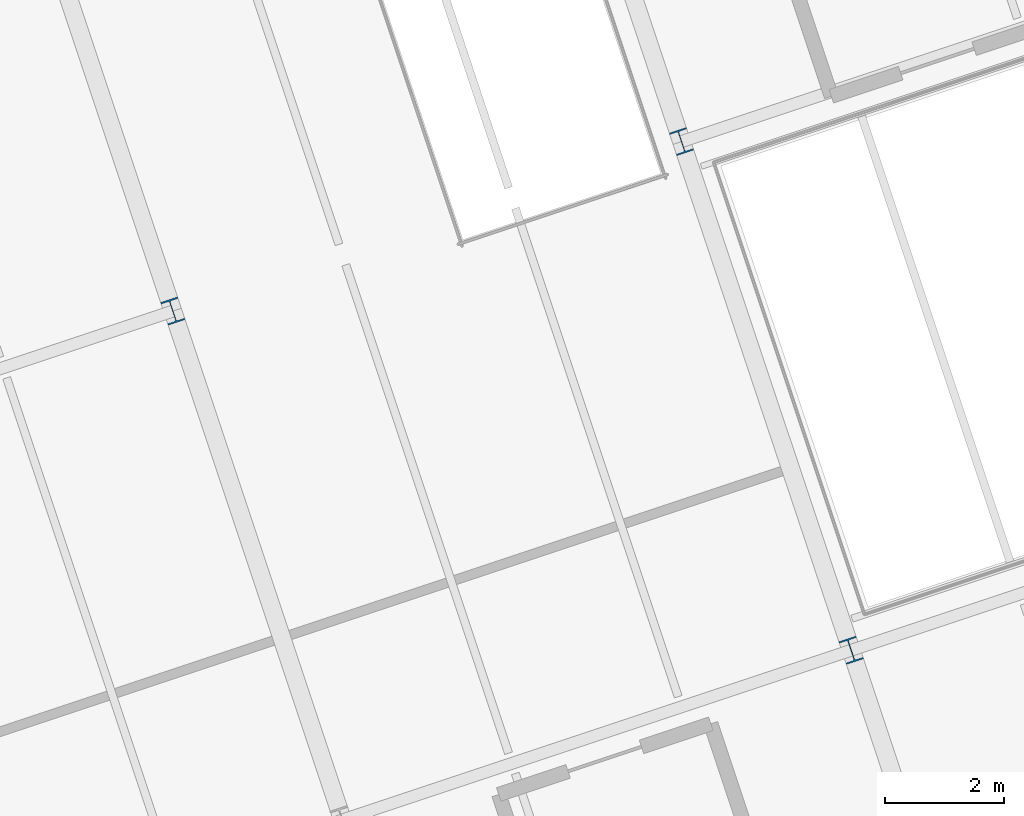
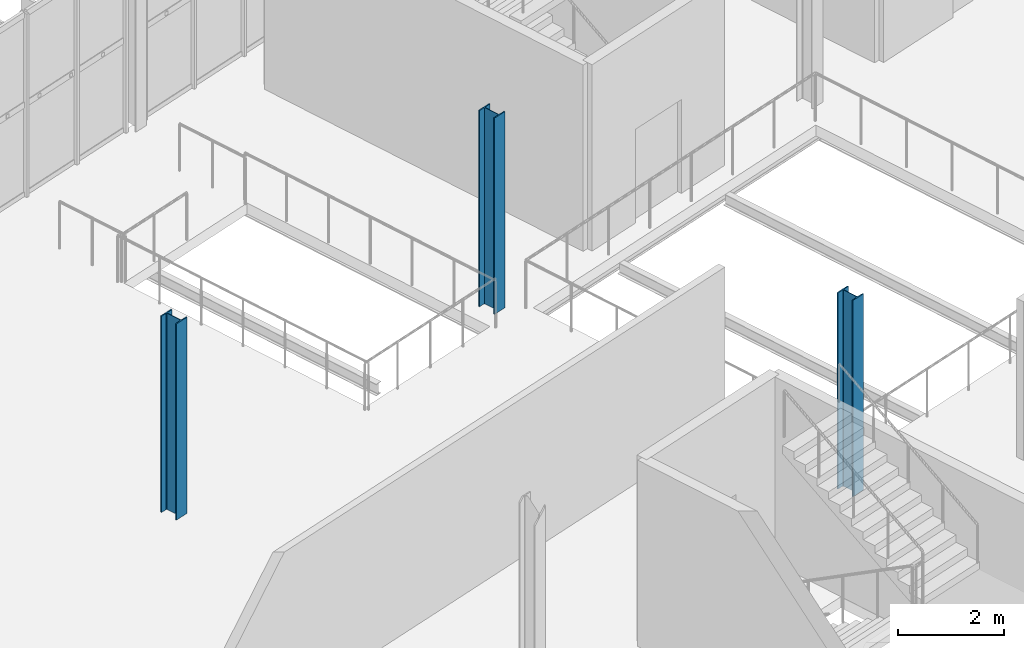
# One storey, part 3 of 152: 3 columns.
"""IFC4 building model written with IfcOpenShell, lengths in metres."""

import ifcopenshell
import ifcopenshell.guid

model = None  # the IFC model being written
_history = None  # IfcOwnerHistory: only IFC2X3 demands one
_inside = {}  # id of a spatial element -> (the spatial element, [elements in it])
_under = {}  # id of a project, library or spatial element -> (it, [spatial elements below it])
_declared = {}  # id of a project -> (the project, [libraries it declares])
_typed = {}  # id of a type object -> (the type object, [elements of that type])
_made_of = {}  # id of a material, layer set ... -> (it, [elements and type objects made of it])


def new_model(schema):
    """Start an empty IFC model of exactly this schema.

    Asked for "IFC4X3", IfcOpenShell would pick the latest addendum, in which some entities
    have other attributes; the version numbers below select the first issue.
    IFC2X3 requires an IfcOwnerHistory on every rooted entity: one is made here for all.
    """
    global model, _history
    if schema == "IFC4X3":
        model = ifcopenshell.file(schema_version=(4, 3, 0, 0))
    else:
        model = ifcopenshell.file(schema=schema)
    _inside.clear()
    _under.clear()
    _declared.clear()
    _typed.clear()
    _made_of.clear()
    _history = None
    if model.schema == "IFC2X3":
        org = make("IfcOrganization", Name="unknown")
        user = make(
            "IfcPersonAndOrganization",
            ThePerson=make("IfcPerson", FamilyName="unknown"),
            TheOrganization=org,
        )
        app = make(
            "IfcApplication",
            ApplicationDeveloper=org,
            Version="unknown",
            ApplicationFullName="unknown",
            ApplicationIdentifier="unknown",
        )
        _history = make(
            "IfcOwnerHistory",
            OwningUser=user,
            OwningApplication=app,
            ChangeAction="ADDED",
            CreationDate=0,
        )
    return model


def make(cls, **values):
    """One entity of the class cls with the attributes given. An attribute that is None is left unset."""
    return model.create_entity(
        cls, **{name: value for name, value in values.items() if value is not None}
    )


def rooted(cls, **values):
    """An entity with a GlobalId (a new one), such as an element, a storey or a relation."""
    return make(cls, GlobalId=ifcopenshell.guid.new(), OwnerHistory=_history, **values)


def si_unit(unit_type, name, prefix=None):
    """IfcSIUnit, for example si_unit("LENGTHUNIT", "METRE", prefix="MILLI")."""
    return make("IfcSIUnit", UnitType=unit_type, Prefix=prefix, Name=name)


def derived_unit(unit_type, elements):
    """IfcDerivedUnit: a product of units, each with its exponent."""
    return make(
        "IfcDerivedUnit",
        Elements=[
            make("IfcDerivedUnitElement", Unit=unit, Exponent=power)
            for unit, power in elements
        ],
        UnitType=unit_type,
    )


def assignment(units):
    """IfcUnitAssignment: the units of a project."""
    return None if units is None else make("IfcUnitAssignment", Units=units)


def point(xyz):
    """IfcCartesianPoint."""
    return None if xyz is None else make("IfcCartesianPoint", Coordinates=xyz)


def direction(xyz):
    """IfcDirection."""
    return None if xyz is None else make("IfcDirection", DirectionRatios=xyz)


def frame(location, z_axis=None, x_axis=None):
    """IfcAxis2Placement3D, a coordinate frame: its origin and axes. An axis left out is left unset."""
    return make(
        "IfcAxis2Placement3D",
        Location=point(location),
        Axis=direction(z_axis),
        RefDirection=direction(x_axis),
    )


def frame_2d(location, x_axis=None):
    """IfcAxis2Placement2D, a coordinate frame in the plane: its origin and x axis."""
    return make(
        "IfcAxis2Placement2D", Location=point(location), RefDirection=direction(x_axis)
    )


def origin():
    """The frame at (0, 0, 0) with its axes left unset."""
    return frame((0.0, 0.0, 0.0))


def origin_2d():
    """The frame at (0, 0) in the plane with its x axis left unset."""
    return frame_2d((0.0, 0.0))


def place(relative_to, where):
    """IfcLocalPlacement: puts the frame where relative to a parent placement (None: the world)."""
    return make(
        "IfcLocalPlacement", PlacementRelTo=relative_to, RelativePlacement=where
    )


def context(
    kind, dimensions, precision=None, world=None, true_north=None, identifier=None
):
    """IfcGeometricRepresentationContext, for example the 3D "Model" context."""
    return make(
        "IfcGeometricRepresentationContext",
        ContextIdentifier=identifier,
        ContextType=kind,
        CoordinateSpaceDimension=dimensions,
        Precision=precision,
        WorldCoordinateSystem=world,
        TrueNorth=true_north,
    )


def subcontext(parent, identifier, kind, view, scale=None):
    """IfcGeometricRepresentationSubContext, for example "Body" below "Model"."""
    return make(
        "IfcGeometricRepresentationSubContext",
        ContextIdentifier=identifier,
        ContextType=kind,
        ParentContext=parent,
        TargetScale=scale,
        TargetView=view,
    )


def project(units=None, contexts=None):
    """IfcProject with its units and contexts."""
    return rooted(
        "IfcProject",
        Name="project",
        RepresentationContexts=contexts,
        UnitsInContext=assignment(units),
    )


def spatial(cls, under=None, at=None, **own):
    """A site, building, storey or space (cls), placed at a placement, below another one or the project."""
    s = rooted(cls, ObjectPlacement=at, **own)
    if under is not None:
        _under.setdefault(under.id(), (under, []))[1].append(s)
    return s


def profile(cls, at=None, kind="AREA", **sizes):
    """A parametric profile (cls). Its sizes go by their IFC names, for example OverallWidth=200.0."""
    return make(cls, ProfileType=kind, Position=at, **sizes)


def i_section(**sizes):
    """IfcIShapeProfileDef."""
    return profile("IfcIShapeProfileDef", **sizes)


def extrude(swept, where, along, depth):
    """IfcExtrudedAreaSolid: the profile swept, set in the frame where, extruded along a direction by depth."""
    return make(
        "IfcExtrudedAreaSolid",
        SweptArea=swept,
        Position=where,
        ExtrudedDirection=direction(along),
        Depth=depth,
    )


def shape(context_of_items, identifier, shape_type, items):
    """IfcShapeRepresentation: the items that make up one representation, for example the "Body"."""
    return make(
        "IfcShapeRepresentation",
        ContextOfItems=context_of_items,
        RepresentationIdentifier=identifier,
        RepresentationType=shape_type,
        Items=items,
    )


def material(Name=None, Category=None):
    """IfcMaterial."""
    return make("IfcMaterial", Name=Name, Category=Category)


def material_profile(
    of_material, cross_section, Name=None, Category=None, Priority=None
):
    """IfcMaterialProfile: a cross section and its material."""
    return make(
        "IfcMaterialProfile",
        Name=Name,
        Material=of_material,
        Profile=cross_section,
        Priority=Priority,
        Category=Category,
    )


def profile_set(profiles, Name=None, composite=None):
    """IfcMaterialProfileSet."""
    return make(
        "IfcMaterialProfileSet",
        Name=Name,
        MaterialProfiles=profiles,
        CompositeProfile=composite,
    )


def made_of(thing, what):
    """Note that an element or type object is made of a material, layer set ...; save() writes the relation."""
    if what is not None:
        _made_of.setdefault(what.id(), (what, []))[1].append(thing)
    return thing


def type_object(cls, material=None, **own):
    """A type object (cls), such as IfcWallType, which elements share."""
    return made_of(rooted(cls, **own), material)


def element(
    cls,
    number,
    at=None,
    inside=None,
    cuts=None,
    type_object=None,
    material=None,
    context=None,
    identifier="Body",
    shape_type=None,
    held_by="IfcProductDefinitionShape",
    body=None,
    shapes=None,
    **own,
):
    """One element of the class cls, such as IfcWall. Its Tag is "e" and its number.

    at: its placement. inside: the storey or other place that contains it. cuts: it is an
    opening in that element (IfcRelVoidsElement). A single representation is given by context,
    identifier, shape_type and body (its items); several are given by shapes. held_by: the class
    of the entity that holds the representations. save() writes the other relations.
    """
    e = rooted(cls, Tag="e%d" % number, ObjectPlacement=at, **own)
    if body is not None:
        shapes = [shape(context, identifier, shape_type, body)]
    if shapes is not None:
        e.Representation = make(held_by, Representations=shapes)
    if inside is not None:
        _inside.setdefault(inside.id(), (inside, []))[1].append(e)
    if cuts is not None:
        rooted(
            "IfcRelVoidsElement", RelatingBuildingElement=cuts, RelatedOpeningElement=e
        )
    if type_object is not None:
        _typed.setdefault(type_object.id(), (type_object, []))[1].append(e)
    return made_of(e, material)


def aggregate(whole, parts):
    """IfcRelAggregates: a whole, such as a stair, and the parts it consists of."""
    return rooted("IfcRelAggregates", RelatingObject=whole, RelatedObjects=parts)


def save(model, path):
    """Write the relations noted so far, then the file.

    IfcRelAggregates (storeys below a building ...), IfcRelContainedInSpatialStructure (elements
    in a storey), IfcRelDefinesByType, IfcRelAssociatesMaterial and IfcRelDeclares: one each for
    every whole, place, type object, material and project.
    """
    for whole, parts in _under.values():
        aggregate(whole, parts)
    for where, things in _inside.values():
        rooted(
            "IfcRelContainedInSpatialStructure",
            RelatedElements=things,
            RelatingStructure=where,
        )
    for kind, things in _typed.values():
        rooted("IfcRelDefinesByType", RelatedObjects=things, RelatingType=kind)
    for what, things in _made_of.values():
        rooted("IfcRelAssociatesMaterial", RelatedObjects=things, RelatingMaterial=what)
    for by, libraries in _declared.values():
        rooted("IfcRelDeclares", RelatingContext=by, RelatedDefinitions=libraries)
    model.write(path)


model = new_model("IFC4")

# Units and contexts
model_context = context("Model", 3, precision=1e-05, world=origin(), true_north=direction((0.0, 1.0)))
body_context = subcontext(model_context, "Body", "Model", "MODEL_VIEW")
ifc_project = project(units=[si_unit("LENGTHUNIT", "METRE"), si_unit("AREAUNIT", "SQUARE_METRE"), si_unit("VOLUMEUNIT", "CUBIC_METRE"), si_unit("PLANEANGLEUNIT", "RADIAN"), si_unit("MASSUNIT", "GRAM", prefix="KILO"), si_unit("THERMODYNAMICTEMPERATUREUNIT", "KELVIN"), si_unit("TIMEUNIT", "SECOND"), derived_unit("THERMALTRANSMITTANCEUNIT", [(si_unit("MASSUNIT", "GRAM", prefix="KILO"), 1), (si_unit("THERMODYNAMICTEMPERATUREUNIT", "KELVIN"), -1), (si_unit("TIMEUNIT", "SECOND"), -3)])], contexts=[model_context])

# Site, building, storey
site_placement = place(None, origin())
site = spatial("IfcSite", under=ifc_project, at=site_placement, CompositionType="ELEMENT")
building_placement = place(site_placement, origin())
building = spatial("IfcBuilding", under=site, at=building_placement, Name="Cambertide Market Hall", CompositionType="ELEMENT")
storey_placement = place(building_placement, frame((0.0, 0.0, 5.39990234375)))
storey = spatial("IfcBuildingStorey", under=building, at=storey_placement, Name="L02", CompositionType="ELEMENT", Elevation=5.39990234375)

# Columns
ifc_material = material(Name="Steel S355", Category="steel")
ifc_material_profile = material_profile(ifc_material, i_section(OverallWidth=0.300048828125, OverallDepth=0.39990234375, WebThickness=0.013427734375, FlangeThickness=0.02392578125, FilletRadius=0.027099609375, at=origin_2d()), Name="HEB 400")
ifc_profile_set = profile_set([ifc_material_profile], Name="Steel S355")
column_type = type_object("IfcColumnType", Name="Steel Column HEB 400", PredefinedType="COLUMN", material=ifc_profile_set)
for number, where, z_axis, x_axis, name in (
    (1, (125.92236328125, 37.614501953125, 0.0), (0.0, 0.0, 1.0), (0.94868329805, 0.316227766018, 0.0), "Level 2 Column COL-V3-4-3-L02"),
    (2, (137.306640625, 31.92236328125, 0.0), (0.0, 0.0, 1.0), (0.94868329805, 0.316227766018, 0.0), "Level 2 Column COL-V3-5-2-L02"),
    (3, (134.46044921875, 40.46044921875, 0.0), (0.0, 0.0, 1.0), (0.94868329805, 0.316227766018, 0.0), "Level 2 Column COL-V3-5-3-L02"),
):
    element("IfcColumn", number, at=place(storey_placement, frame(where, z_axis=z_axis, x_axis=x_axis)), inside=storey, type_object=column_type, Name=name, PredefinedType="COLUMN", context=body_context, shape_type="SweptSolid", body=[
        extrude(i_section(OverallWidth=0.300048828125, OverallDepth=0.39990234375, WebThickness=0.013427734375, FlangeThickness=0.02392578125, FilletRadius=0.027099609375, at=origin_2d()), origin(), (0.0, 0.0, 1.0), 4.5),
    ])

save(model, "model.ifc")
